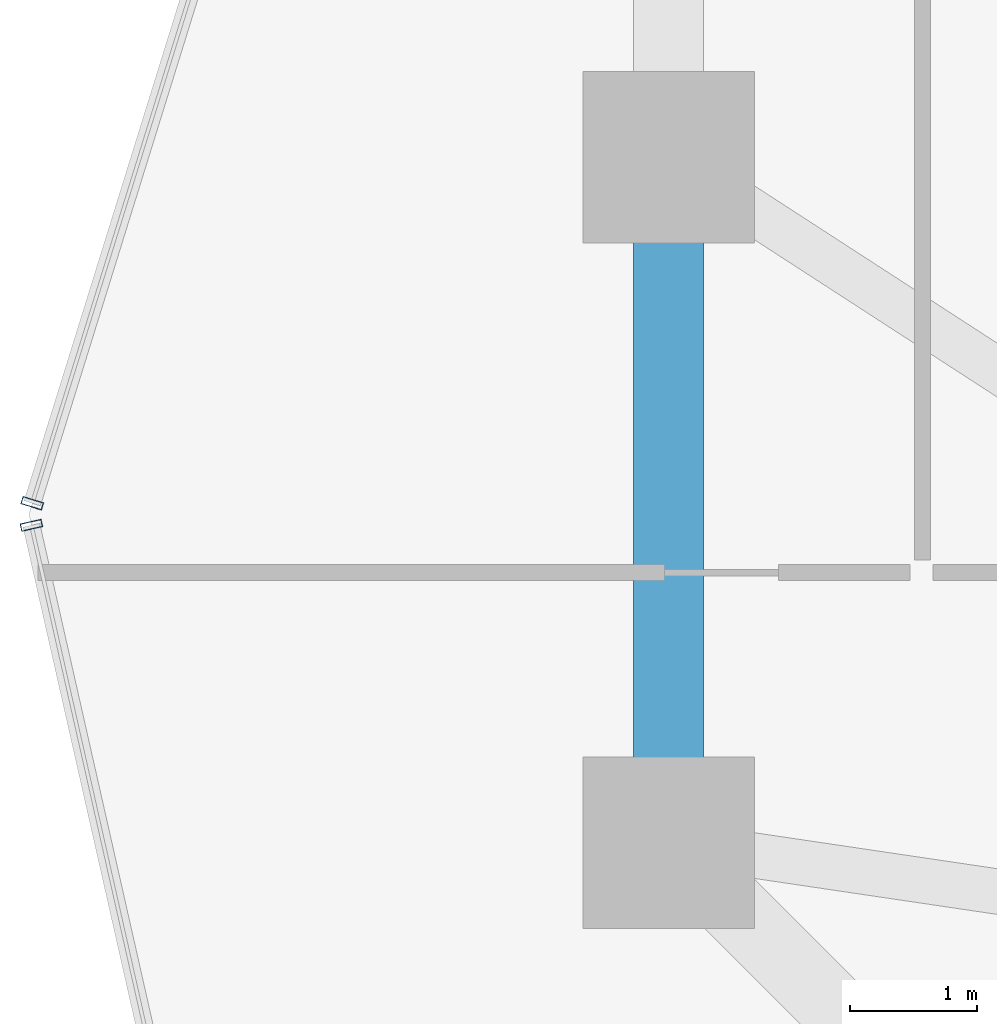
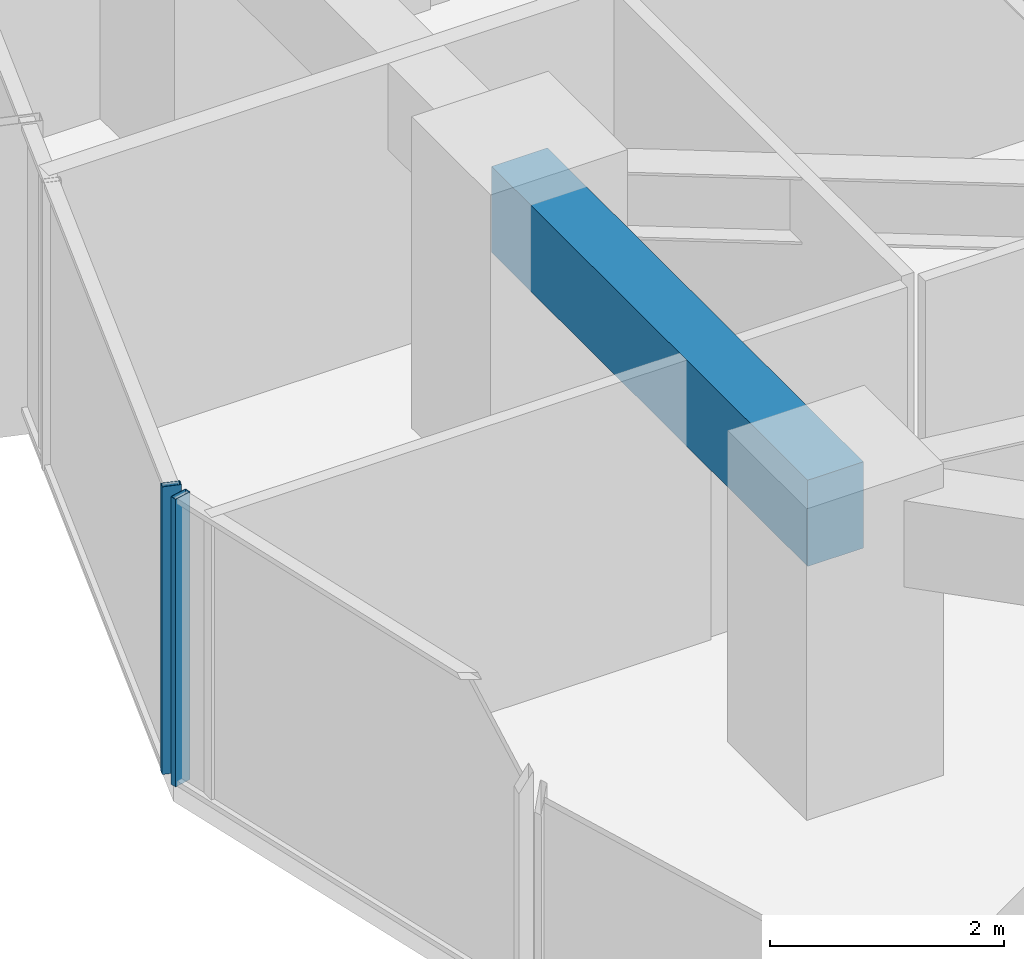
# One storey, part 10 of 39: 2 members, 1 beam, 2 elements without a shape of their own.
"""IFC4 building model written with IfcOpenShell, lengths in metres."""

from ifc_helpers import new_model, si_unit, direction, frame, origin, origin_2d, place, context, subcontext, project, spatial, rectangle, hollow_rectangle, extrude, source, transform, mapped, material, layer, layer_set, material_profile, profile_set, type_object, element, aggregate, save


model = new_model("IFC4")

# Units and contexts
model_context = context("Model", 3, precision=1e-05, world=origin(), true_north=direction((0.0, 1.0)))
body_context = subcontext(model_context, "Body", "Model", "MODEL_VIEW")
ifc_project = project(units=[si_unit("LENGTHUNIT", "METRE"), si_unit("AREAUNIT", "SQUARE_METRE"), si_unit("VOLUMEUNIT", "CUBIC_METRE"), si_unit("PLANEANGLEUNIT", "RADIAN"), si_unit("MASSUNIT", "GRAM", prefix="KILO")], contexts=[model_context])

# Site, building, storey
site_placement = place(None, origin())
site = spatial("IfcSite", under=ifc_project, at=site_placement, CompositionType="ELEMENT")
building_placement = place(site_placement, origin())
building = spatial("IfcBuilding", under=site, at=building_placement, Name="Veraguas Prism Commons", CompositionType="ELEMENT")
storey_placement = place(building_placement, frame((0.0, 0.0, 67.35009765625)))
storey = spatial("IfcBuildingStorey", under=building, at=storey_placement, Name="L18", CompositionType="ELEMENT", Elevation=67.35009765625)

# Beam
ifc_material_1 = material(Name="Concrete C50/60", Category="concrete")
ifc_material_profile_1 = material_profile(ifc_material_1, rectangle(XDim=0.550048828125, YDim=0.89990234375, at=origin_2d()), Name="RC550X900")
ifc_profile_set_1 = profile_set([ifc_material_profile_1], Name="Concrete C50/60")
beam_type = type_object("IfcBeamType", Name="Perimeter Spandrel Lower RC 550x900", PredefinedType="SPANDREL", material=ifc_profile_set_1)
beam_placement = place(storey_placement, frame((6.39990234375, 24.0, 2.5498046875), z_axis=(0.0, -1.0, 0.0), x_axis=(1.0, 0.0, 0.0)))
element("IfcBeam", 1, at=beam_placement, inside=storey, type_object=beam_type, Name="Perimeter Spandrel Beam L18-SP08", PredefinedType="SPANDREL", context=body_context, shape_type="SweptSolid", body=[
    extrude(rectangle(XDim=0.550048828125, YDim=0.89990234375, at=origin_2d()), origin(), (0.0, 0.0, 1.0), 5.39990234375),
])

# Curtain wall, member
ifc_material_2 = material(Name="Anodised aluminium EN AW-6063 T6", Category="aluminium")
ifc_layer = layer(ifc_material_2, 0.169921875, Name="Unitised Flush Curtain Wall Zone 1", Category="aluminium")
ifc_layer_set = layer_set([ifc_layer], Name="Anodised aluminium EN AW-6063 T6")
curtain_wall_type = type_object("IfcCurtainWallType", Name="Unitised Flush Curtain Wall Zone 1", PredefinedType="NOTDEFINED", material=ifc_layer_set)
curtain_wall_1_placement = place(storey_placement, origin())
curtain_wall_1 = element("IfcCurtainWall", 2, at=curtain_wall_1_placement, inside=storey, type_object=curtain_wall_type, Name="Tower Facade Curtain Wall L18-F3", PredefinedType="NOTDEFINED")
ifc_material_profile_2 = material_profile(ifc_material_2, hollow_rectangle(XDim=0.06005859375, YDim=0.169921875, WallThickness=0.00390625, at=origin_2d()), Name="AL60X170X4")
ifc_profile_set_2 = profile_set([ifc_material_profile_2], Name="Anodised aluminium EN AW-6063 T6")
member_type = type_object("IfcMemberType", Name="Curtain Wall Mullion Lower AL 60x170x4", PredefinedType="MULLION", material=ifc_profile_set_2)
shared_shape = source(origin(), body_context, "Body", "SweptSolid", [
    extrude(hollow_rectangle(XDim=0.06005859375, YDim=0.169921875, WallThickness=0.00390625, at=origin_2d()), origin(), (0.0, 0.0, 1.0), 3.0),
])
member_1_placement = place(storey_placement, frame((1.388427734375, 21.2744140625, 0.0), z_axis=(0.0, 0.0, 1.0), x_axis=(-0.296709919616, -0.954967655788, 0.0)))
member_1 = element("IfcMember", 3, at=member_1_placement, type_object=member_type, Name="CW-Z1 Mullion 5", PredefinedType="MULLION", context=body_context, shape_type="MappedRepresentation", body=[
    mapped(shared_shape, transform((0.0, 0.0, 0.0), scale=1.0)),
])
aggregate(curtain_wall_1, [member_1])

curtain_wall_2_placement = place(storey_placement, origin())
curtain_wall_2 = element("IfcCurtainWall", 4, at=curtain_wall_2_placement, inside=storey, type_object=curtain_wall_type, Name="Chamfer Curtain Wall L18-C4", PredefinedType="NOTDEFINED")
member_2_placement = place(storey_placement, frame((1.381591796875, 21.1005859375, 0.0), z_axis=(0.0, 0.0, 1.0), x_axis=(0.22054592824, -0.975376590624, 0.0)))
member_2 = element("IfcMember", 5, at=member_2_placement, type_object=member_type, Name="CW-Z1 Mullion 1", PredefinedType="MULLION", context=body_context, shape_type="MappedRepresentation", body=[
    mapped(shared_shape, transform((0.0, 0.0, 0.0), scale=1.0)),
])
aggregate(curtain_wall_2, [member_2])

save(model, "model.ifc")
